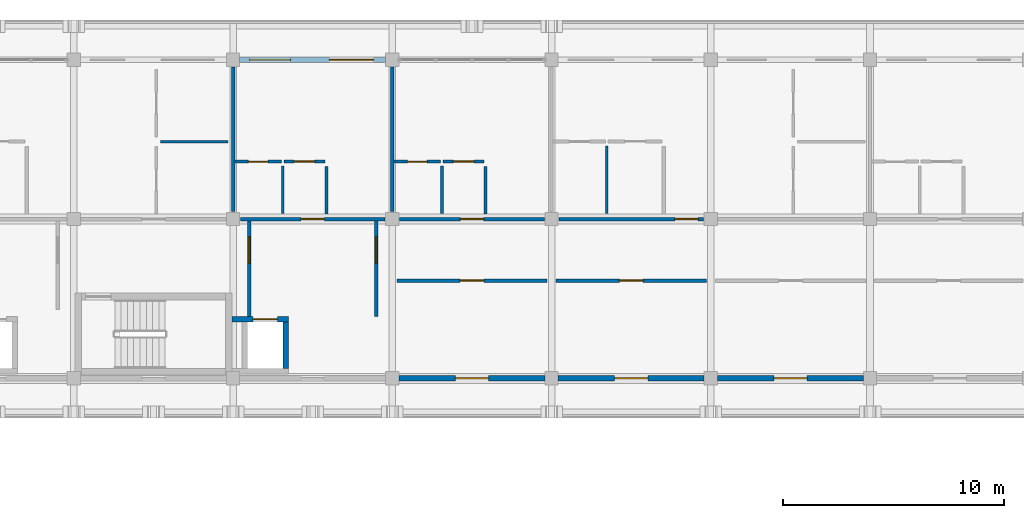
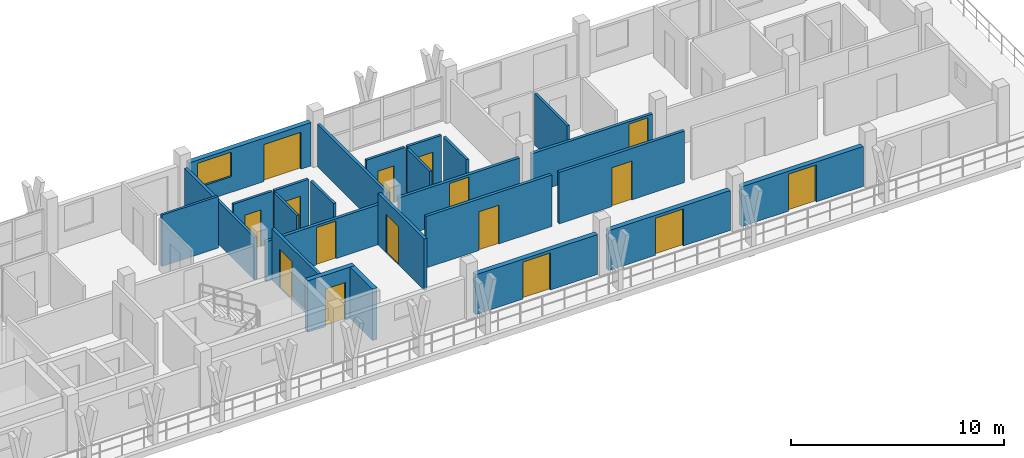
# One storey, part 41 of 65: 25 walls, 16 doors, 1 window, 17 openings.
"""IFC4 building model written with IfcOpenShell, lengths in metres."""

from ifc_helpers import new_model, si_unit, direction, frame, frame_2d, origin, place, context, subcontext, project, spatial, rectangle, extrude, material, layer, layer_set, type_object, element, fill, save


model = new_model("IFC4")

# Units and contexts
model_context = context("Model", 3, precision=1e-05, world=origin(), true_north=direction((0.0, 1.0)))
body_context = subcontext(model_context, "Body", "Model", "MODEL_VIEW")
ifc_project = project(units=[si_unit("LENGTHUNIT", "METRE"), si_unit("AREAUNIT", "SQUARE_METRE"), si_unit("VOLUMEUNIT", "CUBIC_METRE"), si_unit("PLANEANGLEUNIT", "RADIAN"), si_unit("MASSUNIT", "GRAM", prefix="KILO")], contexts=[model_context])

# Site, building, storey
site_placement = place(None, origin())
site = spatial("IfcSite", under=ifc_project, at=site_placement, CompositionType="ELEMENT")
building_placement = place(site_placement, origin())
building = spatial("IfcBuilding", under=site, at=building_placement, Name="Suanplinth Sawtooth Commons", CompositionType="ELEMENT")
storey_placement = place(building_placement, frame((0.0, 0.0, 28.300048828125)))
storey = spatial("IfcBuildingStorey", under=building, at=storey_placement, Name="L08", CompositionType="ELEMENT", Elevation=28.300048828125)

# Wall, openings, door, window
ifc_material_1 = material(Name="Precast concrete C40/50", Category="concrete")
ifc_layer_1 = layer(ifc_material_1, 0.260009765625, Name="Insulated precast courtyard facade wall 260mm")
ifc_layer_set_1 = layer_set([ifc_layer_1], Name="Precast concrete C40/50")
wall_type_1 = type_object("IfcWallType", Name="W-EX02", PredefinedType="ELEMENTEDWALL", material=ifc_layer_set_1)
wall_1_placement = place(storey_placement, frame((65.10009765625, 122.39990234375, 0.0), z_axis=(0.0, 0.0, 1.0), x_axis=(1.0, 0.0, 0.0)))
wall_1 = element("IfcWall", 1, at=wall_1_placement, inside=storey, type_object=wall_type_1, Name="Facade Wall W-L08-A-N-7", PredefinedType="ELEMENTEDWALL", context=body_context, shape_type="SweptSolid", body=[
    extrude(rectangle(XDim=6.599853515625, YDim=0.260009765625, at=frame_2d((3.2998046875, 0.0))), origin(), (0.0, 0.0, 1.0), 2.48486328125),
])
opening_1_placement = place(wall_1_placement, frame((4.050048828125, 0.0, 0.0)))
opening_1 = element("IfcOpeningElement", 2, at=opening_1_placement, cuts=wall_1, Name="Opening ED0632", PredefinedType="OPENING", context=body_context, shape_type="SweptSolid", body=[
    extrude(rectangle(XDim=2.0, YDim=2.1201171875, at=frame_2d((1.0, 1.06005859375))), frame((0.0, 0.14501953125, 0.0), z_axis=(0.0, -1.0, 0.0), x_axis=(1.0, 0.0, 0.0)), (0.0, 0.0, 1.0), 0.289794921875),
])
opening_2_placement = place(wall_1_placement, frame((0.449951171875, 0.0, 0.89990234375)))
opening_2 = element("IfcOpeningElement", 3, at=opening_2_placement, cuts=wall_1, Name="Opening W0714", PredefinedType="OPENING", context=body_context, shape_type="SweptSolid", body=[
    extrude(rectangle(XDim=1.85009765625, YDim=1.39990234375, at=frame_2d((0.925048828125, 0.699951171875))), frame((0.0, 0.14501953125, 0.0), z_axis=(0.0, -1.0, 0.0), x_axis=(1.0, 0.0, 0.0)), (0.0, 0.0, 1.0), 0.289794921875),
])
ifc_material_2 = material(Name="Anodized aluminium and low-E glass", Category="aluminium")
door_type_1 = type_object("IfcDoorType", Name="SD-06", OperationType="DOUBLE_DOOR_SLIDING", PredefinedType="DOOR", material=ifc_material_2)
door_1_placement = place(opening_1_placement, frame((2.0, 0.0, 0.0), z_axis=(0.0, 0.0, 1.0), x_axis=(-1.0, 0.0, 0.0)))
door_1 = element("IfcDoor", 4, at=door_1_placement, inside=storey, type_object=door_type_1, Name="Balcony Sliding Door L08-A-N-7", OperationType="DOUBLE_DOOR_SLIDING", OverallHeight=2.1201171875, OverallWidth=2.0, PredefinedType="DOOR", context=body_context, shape_type="SweptSolid", body=[
    extrude(rectangle(XDim=2.0, YDim=2.1201171875, at=frame_2d((1.0, 1.06005859375))), frame((0.0, 0.02490234375, 0.0), z_axis=(0.0, -1.0, 0.0), x_axis=(1.0, 0.0, 0.0)), (0.0, 0.0, 1.0), 0.050048828125),
])
fill(opening_1, door_1)
ifc_material_3 = material(Name="Thermally broken aluminium and low-E double glazing", Category="aluminium")
window_type = type_object("IfcWindowType", Name="WN-23", PartitioningType="DOUBLE_PANEL_VERTICAL", PredefinedType="WINDOW", material=ifc_material_3)
window_placement = place(opening_2_placement, origin())
window = element("IfcWindow", 5, at=window_placement, inside=storey, type_object=window_type, Name="Window L08-A-N-7", OverallHeight=1.39990234375, OverallWidth=1.85009765625, PartitioningType="DOUBLE_PANEL_VERTICAL", PredefinedType="WINDOW", context=body_context, shape_type="SweptSolid", body=[
    extrude(rectangle(XDim=1.85009765625, YDim=1.39990234375, at=frame_2d((0.925048828125, 0.699951171875))), frame((0.0, 0.030029296875, 0.0), z_axis=(0.0, -1.0, 0.0), x_axis=(1.0, 0.0, 0.0)), (0.0, 0.0, 1.0), 0.06005859375),
])
fill(opening_2, window)

# Wall, opening, door
wall_2_placement = place(storey_placement, frame((72.300048828125, 108.0, 0.0), z_axis=(0.0, 0.0, 1.0), x_axis=(1.0, 0.0, 0.0)))
wall_2 = element("IfcWall", 6, at=wall_2_placement, inside=storey, type_object=wall_type_1, Name="Courtyard Wall W-L08-A-S-8", PredefinedType="ELEMENTEDWALL", context=body_context, shape_type="SweptSolid", body=[
    extrude(rectangle(XDim=6.599853515625, YDim=0.260009765625, at=frame_2d((3.2998046875, 0.0))), origin(), (0.0, 0.0, 1.0), 2.284912109375),
])
opening_3_placement = place(wall_2_placement, frame((2.550048828125, 0.0, 0.0)))
opening_3 = element("IfcOpeningElement", 7, at=opening_3_placement, cuts=wall_2, Name="Opening ED0633", PredefinedType="OPENING", context=body_context, shape_type="SweptSolid", body=[
    extrude(rectangle(XDim=1.5, YDim=2.1201171875, at=frame_2d((0.75, 1.06005859375))), frame((0.0, 0.14501953125, 0.0), z_axis=(0.0, -1.0, 0.0), x_axis=(1.0, 0.0, 0.0)), (0.0, 0.0, 1.0), 0.289794921875),
])
door_type_2 = type_object("IfcDoorType", Name="SD-03", OperationType="SLIDING_TO_LEFT", PredefinedType="DOOR", material=ifc_material_2)
door_2_placement = place(opening_3_placement, frame((1.5, 0.0, 0.0), z_axis=(0.0, 0.0, 1.0), x_axis=(-1.0, 0.0, 0.0)))
door_2 = element("IfcDoor", 8, at=door_2_placement, inside=storey, type_object=door_type_2, Name="Courtyard Balcony Sliding Door L08-A-S-8", OperationType="SLIDING_TO_LEFT", OverallHeight=2.1201171875, OverallWidth=1.5, PredefinedType="DOOR", context=body_context, shape_type="SweptSolid", body=[
    extrude(rectangle(XDim=1.5, YDim=2.1201171875, at=frame_2d((0.75, 1.06005859375))), frame((0.0, 0.02490234375, 0.0), z_axis=(0.0, -1.0, 0.0), x_axis=(1.0, 0.0, 0.0)), (0.0, 0.0, 1.0), 0.050048828125),
])
fill(opening_3, door_2)

wall_3_placement = place(storey_placement, frame((79.5, 108.0, 0.0), z_axis=(0.0, 0.0, 1.0), x_axis=(1.0, 0.0, 0.0)))
wall_3 = element("IfcWall", 9, at=wall_3_placement, inside=storey, type_object=wall_type_1, Name="Courtyard Wall W-L08-A-S-9", PredefinedType="ELEMENTEDWALL", context=body_context, shape_type="SweptSolid", body=[
    extrude(rectangle(XDim=6.60009765625, YDim=0.260009765625, at=frame_2d((3.300048828125, 0.0))), origin(), (0.0, 0.0, 1.0), 2.284912109375),
])
opening_4_placement = place(wall_3_placement, frame((2.550048828125, 0.0, 0.0)))
opening_4 = element("IfcOpeningElement", 10, at=opening_4_placement, cuts=wall_3, Name="Opening ED0635", PredefinedType="OPENING", context=body_context, shape_type="SweptSolid", body=[
    extrude(rectangle(XDim=1.5, YDim=2.1201171875, at=frame_2d((0.75, 1.06005859375))), frame((0.0, 0.14501953125, 0.0), z_axis=(0.0, -1.0, 0.0), x_axis=(1.0, 0.0, 0.0)), (0.0, 0.0, 1.0), 0.289794921875),
])
door_3_placement = place(opening_4_placement, frame((1.5, 0.0, 0.0), z_axis=(0.0, 0.0, 1.0), x_axis=(-1.0, 0.0, 0.0)))
door_3 = element("IfcDoor", 11, at=door_3_placement, inside=storey, type_object=door_type_2, Name="Courtyard Balcony Sliding Door L08-A-S-9", OperationType="SLIDING_TO_LEFT", OverallHeight=2.1201171875, OverallWidth=1.5, PredefinedType="DOOR", context=body_context, shape_type="SweptSolid", body=[
    extrude(rectangle(XDim=1.5, YDim=2.1201171875, at=frame_2d((0.75, 1.06005859375))), frame((0.0, 0.02490234375, 0.0), z_axis=(0.0, -1.0, 0.0), x_axis=(1.0, 0.0, 0.0)), (0.0, 0.0, 1.0), 0.050048828125),
])
fill(opening_4, door_3)

wall_4_placement = place(storey_placement, frame((86.699951171875, 108.0, 0.0), z_axis=(0.0, 0.0, 1.0), x_axis=(1.0, 0.0, 0.0)))
wall_4 = element("IfcWall", 12, at=wall_4_placement, inside=storey, type_object=wall_type_1, Name="Courtyard Wall W-L08-A-S-10", PredefinedType="ELEMENTEDWALL", context=body_context, shape_type="SweptSolid", body=[
    extrude(rectangle(XDim=6.60009765625, YDim=0.260009765625, at=frame_2d((3.300048828125, 0.0))), origin(), (0.0, 0.0, 1.0), 2.284912109375),
])
opening_5_placement = place(wall_4_placement, frame((2.550048828125, 0.0, 0.0)))
opening_5 = element("IfcOpeningElement", 13, at=opening_5_placement, cuts=wall_4, Name="Opening ED0637", PredefinedType="OPENING", context=body_context, shape_type="SweptSolid", body=[
    extrude(rectangle(XDim=1.5, YDim=2.1201171875, at=frame_2d((0.75, 1.06005859375))), frame((0.0, 0.14501953125, 0.0), z_axis=(0.0, -1.0, 0.0), x_axis=(1.0, 0.0, 0.0)), (0.0, 0.0, 1.0), 0.289794921875),
])
door_4_placement = place(opening_5_placement, frame((1.5, 0.0, 0.0), z_axis=(0.0, 0.0, 1.0), x_axis=(-1.0, 0.0, 0.0)))
door_4 = element("IfcDoor", 14, at=door_4_placement, inside=storey, type_object=door_type_2, Name="Courtyard Balcony Sliding Door L08-A-S-10", OperationType="SLIDING_TO_LEFT", OverallHeight=2.1201171875, OverallWidth=1.5, PredefinedType="DOOR", context=body_context, shape_type="SweptSolid", body=[
    extrude(rectangle(XDim=1.5, YDim=2.1201171875, at=frame_2d((0.75, 1.06005859375))), frame((0.0, 0.02490234375, 0.0), z_axis=(0.0, -1.0, 0.0), x_axis=(1.0, 0.0, 0.0)), (0.0, 0.0, 1.0), 0.050048828125),
])
fill(opening_5, door_4)

ifc_layer_2 = layer(ifc_material_1, 0.159912109375, Name="Fire-rated corridor and lobby wall 160mm")
ifc_layer_set_2 = layer_set([ifc_layer_2], Name="Precast concrete C40/50")
wall_type_2 = type_object("IfcWallType", Name="W-FW01", PredefinedType="PARTITIONING", material=ifc_layer_set_2)
wall_5_placement = place(storey_placement, frame((65.52001953125, 110.800048828125, 0.0), z_axis=(0.0, 0.0, 1.0), x_axis=(0.0, 1.0, 0.0)))
wall_5 = element("IfcWall", 15, at=wall_5_placement, inside=storey, type_object=wall_type_2, Name="W-L08-C-A2-LOB-W", PredefinedType="PARTITIONING", context=body_context, shape_type="SweptSolid", body=[
    extrude(rectangle(XDim=4.320068359375, YDim=0.159912109375, at=frame_2d((2.16015625, 0.0))), origin(), (0.0, 0.0, 1.0), 2.949951171875),
])
opening_6_placement = place(wall_5_placement, frame((2.39990234375, 0.0, 0.0)))
opening_6 = element("IfcOpeningElement", 16, at=opening_6_placement, cuts=wall_5, Name="Opening FD0123", PredefinedType="OPENING", context=body_context, shape_type="SweptSolid", body=[
    extrude(rectangle(XDim=1.199951171875, YDim=2.199951171875, at=frame_2d((0.60009765625, 1.10009765625))), frame((0.0, 0.0947265625, 0.0), z_axis=(0.0, -1.0, 0.0), x_axis=(1.0, 0.0, 0.0)), (0.0, 0.0, 1.0), 0.189697265625),
])
ifc_material_4 = material(Name="Teak hardwood fire-rated door assembly", Category="wood")
door_type_3 = type_object("IfcDoorType", Name="FD-02", OperationType="NOTDEFINED", PredefinedType="DOOR", material=ifc_material_4)
door_5_placement = place(opening_6_placement, origin())
door_5 = element("IfcDoor", 17, at=door_5_placement, inside=storey, type_object=door_type_3, Name="Lobby Fire Door FD0123", OperationType="SINGLE_SWING_LEFT", OverallHeight=2.199951171875, OverallWidth=1.199951171875, PredefinedType="DOOR", context=body_context, shape_type="SweptSolid", body=[
    extrude(rectangle(XDim=1.199951171875, YDim=2.199951171875, at=frame_2d((0.60009765625, 1.10009765625))), frame((0.0, 0.02490234375, 0.0), z_axis=(0.0, -1.0, 0.0), x_axis=(1.0, 0.0, 0.0)), (0.0, 0.0, 1.0), 0.050048828125),
])
fill(opening_6, door_5)

wall_6_placement = place(storey_placement, frame((71.280029296875, 110.800048828125, 0.0), z_axis=(0.0, 0.0, 1.0), x_axis=(0.0, 1.0, 0.0)))
wall_6 = element("IfcWall", 18, at=wall_6_placement, inside=storey, type_object=wall_type_2, Name="W-L08-C-A2-LOB-E", PredefinedType="PARTITIONING", context=body_context, shape_type="SweptSolid", body=[
    extrude(rectangle(XDim=4.320068359375, YDim=0.159912109375, at=frame_2d((2.16015625, 0.0))), origin(), (0.0, 0.0, 1.0), 2.949951171875),
])
opening_7_placement = place(wall_6_placement, frame((2.39990234375, 0.0, 0.0)))
opening_7 = element("IfcOpeningElement", 19, at=opening_7_placement, cuts=wall_6, Name="Opening FD0124", PredefinedType="OPENING", context=body_context, shape_type="SweptSolid", body=[
    extrude(rectangle(XDim=1.199951171875, YDim=2.199951171875, at=frame_2d((0.60009765625, 1.10009765625))), frame((0.0, 0.0947265625, 0.0), z_axis=(0.0, -1.0, 0.0), x_axis=(1.0, 0.0, 0.0)), (0.0, 0.0, 1.0), 0.189697265625),
])
door_6_placement = place(opening_7_placement, frame((1.199951171875, 0.0, 0.0), z_axis=(0.0, 0.0, 1.0), x_axis=(-1.0, 0.0, 0.0)))
door_6 = element("IfcDoor", 20, at=door_6_placement, inside=storey, type_object=door_type_3, Name="Lobby Fire Door FD0124", OperationType="SINGLE_SWING_RIGHT", OverallHeight=2.199951171875, OverallWidth=1.199951171875, PredefinedType="DOOR", context=body_context, shape_type="SweptSolid", body=[
    extrude(rectangle(XDim=1.199951171875, YDim=2.199951171875, at=frame_2d((0.60009765625, 1.10009765625))), frame((0.0, 0.02490234375, 0.0), z_axis=(0.0, -1.0, 0.0), x_axis=(1.0, 0.0, 0.0)), (0.0, 0.0, 1.0), 0.050048828125),
])
fill(opening_7, door_6)

wall_7_placement = place(storey_placement, frame((65.1298828125, 115.199951171875, 0.0), z_axis=(0.0, 0.0, 1.0), x_axis=(1.0, 0.0, 0.0)))
wall_7 = element("IfcWall", 21, at=wall_7_placement, inside=storey, type_object=wall_type_2, Name="W-A-L08-U06-COR", PredefinedType="PARTITIONING", context=body_context, shape_type="SweptSolid", body=[
    extrude(rectangle(XDim=6.5400390625, YDim=0.159912109375, at=frame_2d((3.27001953125, 0.0))), origin(), (0.0, 0.0, 1.0), 2.284912109375),
])
opening_8_placement = place(wall_7_placement, frame((2.7451171875, 0.0, 0.0)))
opening_8 = element("IfcOpeningElement", 22, at=opening_8_placement, cuts=wall_7, Name="Opening FD1647", PredefinedType="OPENING", context=body_context, shape_type="SweptSolid", body=[
    extrude(rectangle(XDim=1.050048828125, YDim=2.14990234375, at=frame_2d((0.52490234375, 1.074951171875))), frame((0.0, 0.0947265625, 0.0), z_axis=(0.0, -1.0, 0.0), x_axis=(1.0, 0.0, 0.0)), (0.0, 0.0, 1.0), 0.189697265625),
])
door_type_4 = type_object("IfcDoorType", Name="FD-04", OperationType="NOTDEFINED", PredefinedType="DOOR", material=ifc_material_4)
door_7_placement = place(opening_8_placement, origin())
door_7 = element("IfcDoor", 23, at=door_7_placement, inside=storey, type_object=door_type_4, Name="Unit Entrance Door FD1647", OperationType="SINGLE_SWING_LEFT", OverallHeight=2.14990234375, OverallWidth=1.050048828125, PredefinedType="DOOR", context=body_context, shape_type="SweptSolid", body=[
    extrude(rectangle(XDim=1.050048828125, YDim=2.14990234375, at=frame_2d((0.52490234375, 1.074951171875))), frame((0.0, 0.02490234375, 0.0), z_axis=(0.0, -1.0, 0.0), x_axis=(1.0, 0.0, 0.0)), (0.0, 0.0, 1.0), 0.050048828125),
])
fill(opening_8, door_7)

wall_8_placement = place(storey_placement, frame((72.330078125, 115.199951171875, 0.0), z_axis=(0.0, 0.0, 1.0), x_axis=(1.0, 0.0, 0.0)))
wall_8 = element("IfcWall", 24, at=wall_8_placement, inside=storey, type_object=wall_type_2, Name="W-A-L08-U07-COR", PredefinedType="PARTITIONING", context=body_context, shape_type="SweptSolid", body=[
    extrude(rectangle(XDim=6.5400390625, YDim=0.159912109375, at=frame_2d((3.27001953125, 0.0))), origin(), (0.0, 0.0, 1.0), 2.284912109375),
])
opening_9_placement = place(wall_8_placement, frame((2.7451171875, 0.0, 0.0)))
opening_9 = element("IfcOpeningElement", 25, at=opening_9_placement, cuts=wall_8, Name="Opening FD1650", PredefinedType="OPENING", context=body_context, shape_type="SweptSolid", body=[
    extrude(rectangle(XDim=1.050048828125, YDim=2.14990234375, at=frame_2d((0.52490234375, 1.074951171875))), frame((0.0, 0.0947265625, 0.0), z_axis=(0.0, -1.0, 0.0), x_axis=(1.0, 0.0, 0.0)), (0.0, 0.0, 1.0), 0.189697265625),
])
door_8_placement = place(opening_9_placement, origin())
door_8 = element("IfcDoor", 26, at=door_8_placement, inside=storey, type_object=door_type_4, Name="Unit Entrance Door FD1650", OperationType="SINGLE_SWING_RIGHT", OverallHeight=2.14990234375, OverallWidth=1.050048828125, PredefinedType="DOOR", context=body_context, shape_type="SweptSolid", body=[
    extrude(rectangle(XDim=1.050048828125, YDim=2.14990234375, at=frame_2d((0.52490234375, 1.074951171875))), frame((0.0, 0.02490234375, 0.0), z_axis=(0.0, -1.0, 0.0), x_axis=(1.0, 0.0, 0.0)), (0.0, 0.0, 1.0), 0.050048828125),
])
fill(opening_9, door_8)

wall_9_placement = place(storey_placement, frame((79.530029296875, 115.199951171875, 0.0), z_axis=(0.0, 0.0, 1.0), x_axis=(1.0, 0.0, 0.0)))
wall_9 = element("IfcWall", 27, at=wall_9_placement, inside=storey, type_object=wall_type_2, Name="W-A-L08-U08-COR-S1", PredefinedType="PARTITIONING", context=body_context, shape_type="SweptSolid", body=[
    extrude(rectangle(XDim=6.5400390625, YDim=0.159912109375, at=frame_2d((3.27001953125, 0.0))), origin(), (0.0, 0.0, 1.0), 2.284912109375),
])
opening_10_placement = place(wall_9_placement, frame((5.2451171875, 0.0, 0.0)))
opening_10 = element("IfcOpeningElement", 28, at=opening_10_placement, cuts=wall_9, Name="Opening FD1653", PredefinedType="OPENING", context=body_context, shape_type="SweptSolid", body=[
    extrude(rectangle(XDim=1.050048828125, YDim=2.14990234375, at=frame_2d((0.52490234375, 1.074951171875))), frame((0.0, 0.0947265625, 0.0), z_axis=(0.0, -1.0, 0.0), x_axis=(1.0, 0.0, 0.0)), (0.0, 0.0, 1.0), 0.189697265625),
])
door_9_placement = place(opening_10_placement, origin())
door_9 = element("IfcDoor", 29, at=door_9_placement, inside=storey, type_object=door_type_4, Name="Unit Entrance Door FD1653", OperationType="SINGLE_SWING_LEFT", OverallHeight=2.14990234375, OverallWidth=1.050048828125, PredefinedType="DOOR", context=body_context, shape_type="SweptSolid", body=[
    extrude(rectangle(XDim=1.050048828125, YDim=2.14990234375, at=frame_2d((0.52490234375, 1.074951171875))), frame((0.0, 0.02490234375, 0.0), z_axis=(0.0, -1.0, 0.0), x_axis=(1.0, 0.0, 0.0)), (0.0, 0.0, 1.0), 0.050048828125),
])
fill(opening_10, door_9)

wall_10_placement = place(storey_placement, frame((72.199951171875, 112.419921875, 0.0), z_axis=(0.0, 0.0, 1.0), x_axis=(1.0, 0.0, 0.0)))
wall_10 = element("IfcWall", 30, at=wall_10_placement, inside=storey, type_object=wall_type_2, Name="W-A-L08-COURTROOM-13-COR", PredefinedType="PARTITIONING", context=body_context, shape_type="SweptSolid", body=[
    extrude(rectangle(XDim=6.800048828125, YDim=0.159912109375, at=frame_2d((3.39990234375, 0.0))), origin(), (0.0, 0.0, 1.0), 2.949951171875),
])
opening_11_placement = place(wall_10_placement, frame((2.860107421875, 0.0, 0.0)))
opening_11 = element("IfcOpeningElement", 31, at=opening_11_placement, cuts=wall_10, Name="Opening D1665", PredefinedType="OPENING", context=body_context, shape_type="SweptSolid", body=[
    extrude(rectangle(XDim=1.080078125, YDim=2.219970703125, at=frame_2d((0.5400390625, 1.10986328125))), frame((0.0, 0.0947265625, 0.0), z_axis=(0.0, -1.0, 0.0), x_axis=(1.0, 0.0, 0.0)), (0.0, 0.0, 1.0), 0.189697265625),
])
ifc_material_5 = material(Name="Teak hardwood", Category="wood")
door_type_5 = type_object("IfcDoorType", Name="D-17", OperationType="NOTDEFINED", PredefinedType="DOOR", material=ifc_material_5)
door_10_placement = place(opening_11_placement, frame((1.080078125, 0.0, 0.0), z_axis=(0.0, 0.0, 1.0), x_axis=(-1.0, 0.0, 0.0)))
door_10 = element("IfcDoor", 32, at=door_10_placement, inside=storey, type_object=door_type_5, Name="Study Studio Door D1665", OperationType="SINGLE_SWING_LEFT", OverallHeight=2.219970703125, OverallWidth=1.080078125, PredefinedType="DOOR", context=body_context, shape_type="SweptSolid", body=[
    extrude(rectangle(XDim=1.080078125, YDim=2.219970703125, at=frame_2d((0.5400390625, 1.10986328125))), frame((0.0, 0.02490234375, 0.0), z_axis=(0.0, -1.0, 0.0), x_axis=(1.0, 0.0, 0.0)), (0.0, 0.0, 1.0), 0.050048828125),
])
fill(opening_11, door_10)

wall_11_placement = place(storey_placement, frame((79.39990234375, 112.419921875, 0.0), z_axis=(0.0, 0.0, 1.0), x_axis=(1.0, 0.0, 0.0)))
wall_11 = element("IfcWall", 33, at=wall_11_placement, inside=storey, type_object=wall_type_2, Name="W-A-L08-COURTROOM-14-COR", PredefinedType="PARTITIONING", context=body_context, shape_type="SweptSolid", body=[
    extrude(rectangle(XDim=6.800048828125, YDim=0.159912109375, at=frame_2d((3.39990234375, 0.0))), origin(), (0.0, 0.0, 1.0), 2.949951171875),
])
opening_12_placement = place(wall_11_placement, frame((2.860107421875, 0.0, 0.0)))
opening_12 = element("IfcOpeningElement", 34, at=opening_12_placement, cuts=wall_11, Name="Opening D1666", PredefinedType="OPENING", context=body_context, shape_type="SweptSolid", body=[
    extrude(rectangle(XDim=1.080078125, YDim=2.219970703125, at=frame_2d((0.5400390625, 1.10986328125))), frame((0.0, 0.0947265625, 0.0), z_axis=(0.0, -1.0, 0.0), x_axis=(1.0, 0.0, 0.0)), (0.0, 0.0, 1.0), 0.189697265625),
])
door_11_placement = place(opening_12_placement, frame((1.080078125, 0.0, 0.0), z_axis=(0.0, 0.0, 1.0), x_axis=(-1.0, 0.0, 0.0)))
door_11 = element("IfcDoor", 35, at=door_11_placement, inside=storey, type_object=door_type_5, Name="Study Studio Door D1666", OperationType="SINGLE_SWING_RIGHT", OverallHeight=2.219970703125, OverallWidth=1.080078125, PredefinedType="DOOR", context=body_context, shape_type="SweptSolid", body=[
    extrude(rectangle(XDim=1.080078125, YDim=2.219970703125, at=frame_2d((0.5400390625, 1.10986328125))), frame((0.0, 0.02490234375, 0.0), z_axis=(0.0, -1.0, 0.0), x_axis=(1.0, 0.0, 0.0)), (0.0, 0.0, 1.0), 0.050048828125),
])
fill(opening_12, door_11)

# Walls
ifc_layer_3 = layer(ifc_material_1, 0.14990234375, Name="Acoustic precast party demising wall 150mm")
ifc_layer_set_3 = layer_set([ifc_layer_3], Name="Precast concrete C40/50")
wall_type_3 = type_object("IfcWallType", Name="W-FW02", PredefinedType="PARTITIONING", material=ifc_layer_set_3)
for number, where, z_axis, x_axis, name in (
    (36, (64.800048828125, 115.530029296875, 0.0), (0.0, 0.0, 1.0), (0.0, 1.0, 0.0), "W-A-L08-U05-PTY"),
    (37, (72.0, 115.530029296875, 0.0), (0.0, 0.0, 1.0), (0.0, 1.0, 0.0), "W-A-L08-U06-PTY"),
):
    element("IfcWall", number, at=place(storey_placement, frame(where, z_axis=z_axis, x_axis=x_axis)), inside=storey, type_object=wall_type_3, Name=name, PredefinedType="PARTITIONING", context=body_context, shape_type="SweptSolid", body=[
        extrude(rectangle(XDim=6.5400390625, YDim=0.14990234375, at=frame_2d((3.27001953125, 0.0))), origin(), (0.0, 0.0, 1.0), 2.43505859375),
    ])

# Wall, opening, door
ifc_material_6 = material(Name="Gypsum plasterboard on steel stud", Category="steel")
ifc_layer_4 = layer(ifc_material_6, 0.139892578125, Name="Fire-rated kitchen partition 140mm")
ifc_layer_set_4 = layer_set([ifc_layer_4], Name="Gypsum plasterboard on steel stud")
wall_type_4 = type_object("IfcWallType", Name="W-PT01", PredefinedType="PARTITIONING", material=ifc_layer_set_4)
wall_12_placement = place(storey_placement, frame((67.10009765625, 117.800048828125, 0.0), z_axis=(0.0, 0.0, 1.0), x_axis=(1.0, 0.0, 0.0)))
wall_12 = element("IfcWall", 38, at=wall_12_placement, inside=storey, type_object=wall_type_4, Name="W-A-L08-U06-KIT1", PredefinedType="PARTITIONING", context=body_context, shape_type="SweptSolid", body=[
    extrude(rectangle(XDim=1.849853515625, YDim=0.139892578125, at=frame_2d((0.9248046875, 0.0))), origin(), (0.0, 0.0, 1.0), 2.949951171875),
])
opening_13_placement = place(wall_12_placement, frame((0.4599609375, 0.0, 0.0)))
opening_13 = element("IfcOpeningElement", 39, at=opening_13_placement, cuts=wall_12, Name="Opening D1649", PredefinedType="OPENING", context=body_context, shape_type="SweptSolid", body=[
    extrude(rectangle(XDim=0.929931640625, YDim=2.139892578125, at=frame_2d((0.46484375, 1.06982421875))), frame((0.0, 0.0849609375, 0.0), z_axis=(0.0, -1.0, 0.0), x_axis=(1.0, 0.0, 0.0)), (0.0, 0.0, 1.0), 0.169677734375),
])
door_type_6 = type_object("IfcDoorType", Name="D-19", OperationType="NOTDEFINED", PredefinedType="DOOR", material=ifc_material_5)
door_12_placement = place(opening_13_placement, frame((0.929931640625, 0.0, 0.0), z_axis=(0.0, 0.0, 1.0), x_axis=(-1.0, 0.0, 0.0)))
door_12 = element("IfcDoor", 40, at=door_12_placement, inside=storey, type_object=door_type_6, Name="Kitchen Door D1649", OperationType="SINGLE_SWING_LEFT", OverallHeight=2.139892578125, OverallWidth=0.929931640625, PredefinedType="DOOR", context=body_context, shape_type="SweptSolid", body=[
    extrude(rectangle(XDim=0.929931640625, YDim=2.139892578125, at=frame_2d((0.46484375, 1.06982421875))), frame((0.0, 0.02490234375, 0.0), z_axis=(0.0, -1.0, 0.0), x_axis=(1.0, 0.0, 0.0)), (0.0, 0.0, 1.0), 0.050048828125),
])
fill(opening_13, door_12)

# Wall
wall_13_placement = place(storey_placement, frame((69.02001953125, 115.429931640625, 0.0), z_axis=(0.0, 0.0, 1.0), x_axis=(0.0, 1.0, 0.0)))
element("IfcWall", 41, at=wall_13_placement, inside=storey, type_object=wall_type_4, Name="W-A-L08-U06-KIT2", PredefinedType="PARTITIONING", context=body_context, shape_type="SweptSolid", body=[
    extrude(rectangle(XDim=2.150146484375, YDim=0.139892578125, at=frame_2d((1.0751953125, 0.0))), origin(), (0.0, 0.0, 1.0), 2.949951171875),
])

# Wall, opening, door
wall_14_placement = place(storey_placement, frame((74.300048828125, 117.800048828125, 0.0), z_axis=(0.0, 0.0, 1.0), x_axis=(1.0, 0.0, 0.0)))
wall_14 = element("IfcWall", 42, at=wall_14_placement, inside=storey, type_object=wall_type_4, Name="W-A-L08-U07-KIT1", PredefinedType="PARTITIONING", context=body_context, shape_type="SweptSolid", body=[
    extrude(rectangle(XDim=1.849853515625, YDim=0.139892578125, at=frame_2d((0.9248046875, 0.0))), origin(), (0.0, 0.0, 1.0), 2.949951171875),
])
opening_14_placement = place(wall_14_placement, frame((0.4599609375, 0.0, 0.0)))
opening_14 = element("IfcOpeningElement", 43, at=opening_14_placement, cuts=wall_14, Name="Opening D1652", PredefinedType="OPENING", context=body_context, shape_type="SweptSolid", body=[
    extrude(rectangle(XDim=0.929931640625, YDim=2.139892578125, at=frame_2d((0.46484375, 1.06982421875))), frame((0.0, 0.0849609375, 0.0), z_axis=(0.0, -1.0, 0.0), x_axis=(1.0, 0.0, 0.0)), (0.0, 0.0, 1.0), 0.169677734375),
])
door_13_placement = place(opening_14_placement, frame((0.929931640625, 0.0, 0.0), z_axis=(0.0, 0.0, 1.0), x_axis=(-1.0, 0.0, 0.0)))
door_13 = element("IfcDoor", 44, at=door_13_placement, inside=storey, type_object=door_type_6, Name="Kitchen Door D1652", OperationType="SINGLE_SWING_RIGHT", OverallHeight=2.139892578125, OverallWidth=0.929931640625, PredefinedType="DOOR", context=body_context, shape_type="SweptSolid", body=[
    extrude(rectangle(XDim=0.929931640625, YDim=2.139892578125, at=frame_2d((0.46484375, 1.06982421875))), frame((0.0, 0.02490234375, 0.0), z_axis=(0.0, -1.0, 0.0), x_axis=(1.0, 0.0, 0.0)), (0.0, 0.0, 1.0), 0.050048828125),
])
fill(opening_14, door_13)

# Wall
wall_15_placement = place(storey_placement, frame((76.219970703125, 115.429931640625, 0.0), z_axis=(0.0, 0.0, 1.0), x_axis=(0.0, 1.0, 0.0)))
element("IfcWall", 45, at=wall_15_placement, inside=storey, type_object=wall_type_4, Name="W-A-L08-U07-KIT2", PredefinedType="PARTITIONING", context=body_context, shape_type="SweptSolid", body=[
    extrude(rectangle(XDim=2.150146484375, YDim=0.139892578125, at=frame_2d((1.0751953125, 0.0))), origin(), (0.0, 0.0, 1.0), 2.949951171875),
])

# Wall, opening, door
ifc_layer_5 = layer(ifc_material_6, 0.1298828125, Name="Moisture-resistant bathroom partition 130mm")
ifc_layer_set_5 = layer_set([ifc_layer_5], Name="Gypsum plasterboard on steel stud")
wall_type_5 = type_object("IfcWallType", Name="W-PT02", PredefinedType="PARTITIONING", material=ifc_layer_set_5)
wall_16_placement = place(storey_placement, frame((64.8798828125, 117.794921875, 0.0), z_axis=(0.0, 0.0, 1.0), x_axis=(1.0, 0.0, 0.0)))
wall_16 = element("IfcWall", 46, at=wall_16_placement, inside=storey, type_object=wall_type_5, Name="W-A-L08-U06-BTH1", PredefinedType="PARTITIONING", context=body_context, shape_type="SweptSolid", body=[
    extrude(rectangle(XDim=2.10009765625, YDim=0.1298828125, at=frame_2d((1.050048828125, 0.0))), origin(), (0.0, 0.0, 1.0), 2.949951171875),
])
opening_15_placement = place(wall_16_placement, frame((0.610107421875, 0.0, 0.0)))
opening_15 = element("IfcOpeningElement", 47, at=opening_15_placement, cuts=wall_16, Name="Opening D1648", PredefinedType="OPENING", context=body_context, shape_type="SweptSolid", body=[
    extrude(rectangle(XDim=0.8798828125, YDim=2.10009765625, at=frame_2d((0.43994140625, 1.050048828125))), frame((0.0, 0.079833984375, 0.0), z_axis=(0.0, -1.0, 0.0), x_axis=(1.0, 0.0, 0.0)), (0.0, 0.0, 1.0), 0.15966796875),
])
door_type_7 = type_object("IfcDoorType", Name="D-14", OperationType="NOTDEFINED", PredefinedType="DOOR", material=ifc_material_5)
door_14_placement = place(opening_15_placement, frame((0.8798828125, 0.0, 0.0), z_axis=(0.0, 0.0, 1.0), x_axis=(-1.0, 0.0, 0.0)))
door_14 = element("IfcDoor", 48, at=door_14_placement, inside=storey, type_object=door_type_7, Name="Bathroom Door D1648", OperationType="SINGLE_SWING_RIGHT", OverallHeight=2.10009765625, OverallWidth=0.8798828125, PredefinedType="DOOR", context=body_context, shape_type="SweptSolid", body=[
    extrude(rectangle(XDim=0.8798828125, YDim=2.10009765625, at=frame_2d((0.43994140625, 1.050048828125))), frame((0.0, 0.02490234375, 0.0), z_axis=(0.0, -1.0, 0.0), x_axis=(1.0, 0.0, 0.0)), (0.0, 0.0, 1.0), 0.050048828125),
])
fill(opening_15, door_14)

# Wall
wall_17_placement = place(storey_placement, frame((67.044921875, 115.4599609375, 0.0), z_axis=(0.0, 0.0, 1.0), x_axis=(0.0, 1.0, 0.0)))
element("IfcWall", 49, at=wall_17_placement, inside=storey, type_object=wall_type_5, Name="W-A-L08-U06-BTH2", PredefinedType="PARTITIONING", context=body_context, shape_type="SweptSolid", body=[
    extrude(rectangle(XDim=2.130126953125, YDim=0.1298828125, at=frame_2d((1.06494140625, 0.0))), origin(), (0.0, 0.0, 1.0), 2.949951171875),
])

# Wall, opening, door
wall_18_placement = place(storey_placement, frame((72.080078125, 117.794921875, 0.0), z_axis=(0.0, 0.0, 1.0), x_axis=(1.0, 0.0, 0.0)))
wall_18 = element("IfcWall", 50, at=wall_18_placement, inside=storey, type_object=wall_type_5, Name="W-A-L08-U07-BTH1", PredefinedType="PARTITIONING", context=body_context, shape_type="SweptSolid", body=[
    extrude(rectangle(XDim=2.099853515625, YDim=0.1298828125, at=frame_2d((1.0498046875, 0.0))), origin(), (0.0, 0.0, 1.0), 2.949951171875),
])
opening_16_placement = place(wall_18_placement, frame((0.610107421875, 0.0, 0.0)))
opening_16 = element("IfcOpeningElement", 51, at=opening_16_placement, cuts=wall_18, Name="Opening D1651", PredefinedType="OPENING", context=body_context, shape_type="SweptSolid", body=[
    extrude(rectangle(XDim=0.8798828125, YDim=2.10009765625, at=frame_2d((0.43994140625, 1.050048828125))), frame((0.0, 0.079833984375, 0.0), z_axis=(0.0, -1.0, 0.0), x_axis=(1.0, 0.0, 0.0)), (0.0, 0.0, 1.0), 0.15966796875),
])
door_15_placement = place(opening_16_placement, frame((0.8798828125, 0.0, 0.0), z_axis=(0.0, 0.0, 1.0), x_axis=(-1.0, 0.0, 0.0)))
door_15 = element("IfcDoor", 52, at=door_15_placement, inside=storey, type_object=door_type_7, Name="Bathroom Door D1651", OperationType="SINGLE_SWING_LEFT", OverallHeight=2.10009765625, OverallWidth=0.8798828125, PredefinedType="DOOR", context=body_context, shape_type="SweptSolid", body=[
    extrude(rectangle(XDim=0.8798828125, YDim=2.10009765625, at=frame_2d((0.43994140625, 1.050048828125))), frame((0.0, 0.02490234375, 0.0), z_axis=(0.0, -1.0, 0.0), x_axis=(1.0, 0.0, 0.0)), (0.0, 0.0, 1.0), 0.050048828125),
])
fill(opening_16, door_15)

# Walls
wall_19_placement = place(storey_placement, frame((74.2451171875, 115.4599609375, 0.0), z_axis=(0.0, 0.0, 1.0), x_axis=(0.0, 1.0, 0.0)))
element("IfcWall", 53, at=wall_19_placement, inside=storey, type_object=wall_type_5, Name="W-A-L08-U07-BTH2", PredefinedType="PARTITIONING", context=body_context, shape_type="SweptSolid", body=[
    extrude(rectangle(XDim=2.130126953125, YDim=0.1298828125, at=frame_2d((1.06494140625, 0.0))), origin(), (0.0, 0.0, 1.0), 2.949951171875),
])
wall_20_placement = place(storey_placement, frame((81.695068359375, 115.4599609375, 0.0), z_axis=(0.0, 0.0, 1.0), x_axis=(0.0, 1.0, 0.0)))
element("IfcWall", 54, at=wall_20_placement, inside=storey, type_object=wall_type_5, Name="W-A-L08-U08-BTH2", PredefinedType="PARTITIONING", context=body_context, shape_type="SweptSolid", body=[
    extrude(rectangle(XDim=3.0400390625, YDim=0.1298828125, at=frame_2d((1.52001953125, 0.0))), origin(), (0.0, 0.0, 1.0), 2.949951171875),
])
ifc_layer_6 = layer(ifc_material_6, 0.125, Name="Acoustic study partition 125mm")
ifc_layer_set_6 = layer_set([ifc_layer_6], Name="Gypsum plasterboard on steel stud")
wall_type_6 = type_object("IfcWallType", Name="W-PT06", PredefinedType="PARTITIONING", material=ifc_layer_set_6)
wall_21_placement = place(storey_placement, frame((61.52001953125, 118.699951171875, 0.0), z_axis=(0.0, 0.0, 1.0), x_axis=(1.0, 0.0, 0.0)))
element("IfcWall", 55, at=wall_21_placement, inside=storey, type_object=wall_type_6, Name="W-A-L08-U05-BEDDIV", PredefinedType="PARTITIONING", context=body_context, shape_type="SweptSolid", body=[
    extrude(rectangle(XDim=3.06005859375, YDim=0.125, at=frame_2d((1.530029296875, 0.0))), origin(), (0.0, 0.0, 1.0), 2.949951171875),
])

# Wall, opening, door
ifc_layer_7 = layer(ifc_material_1, 0.25, Name="Precast structural shear wall 250mm")
ifc_layer_set_7 = layer_set([ifc_layer_7], Name="Precast concrete C40/50")
wall_type_7 = type_object("IfcWallType", Name="W-SH01", PredefinedType="SHEAR", material=ifc_layer_set_7)
wall_22_placement = place(storey_placement, frame((64.75, 110.675048828125, 0.0), z_axis=(0.0, 0.0, 1.0), x_axis=(1.0, 0.0, 0.0)))
wall_22 = element("IfcWall", 56, at=wall_22_placement, inside=storey, type_object=wall_type_7, Name="W-L08-LF2-N", PredefinedType="SHEAR", context=body_context, shape_type="SweptSolid", body=[
    extrude(rectangle(XDim=2.550048828125, YDim=0.25, at=frame_2d((1.27490234375, 0.0))), origin(), (0.0, 0.0, 1.0), 2.949951171875),
])
opening_17_placement = place(wall_22_placement, frame((0.949951171875, 0.0, 0.0)))
opening_17 = element("IfcOpeningElement", 57, at=opening_17_placement, cuts=wall_22, Name="Opening LD0125", PredefinedType="OPENING", context=body_context, shape_type="SweptSolid", body=[
    extrude(rectangle(XDim=1.10009765625, YDim=2.14990234375, at=frame_2d((0.550048828125, 1.074951171875))), frame((0.0, 0.139892578125, 0.0), z_axis=(0.0, -1.0, 0.0), x_axis=(1.0, 0.0, 0.0)), (0.0, 0.0, 1.0), 0.27978515625),
])
ifc_material_7 = material(Name="Stainless steel Grade 304", Category="steel")
door_type_8 = type_object("IfcDoorType", Name="LD-01", OperationType="SLIDING_TO_LEFT", PredefinedType="DOOR", material=ifc_material_7)
door_16_placement = place(opening_17_placement, origin())
door_16 = element("IfcDoor", 58, at=door_16_placement, inside=storey, type_object=door_type_8, Name="Lift Landing Sliding Door LF2 L08", OperationType="SLIDING_TO_LEFT", OverallHeight=2.14990234375, OverallWidth=1.10009765625, PredefinedType="DOOR", context=body_context, shape_type="SweptSolid", body=[
    extrude(rectangle(XDim=1.10009765625, YDim=2.14990234375, at=frame_2d((0.550048828125, 1.074951171875))), frame((0.0, 0.02490234375, 0.0), z_axis=(0.0, -1.0, 0.0), x_axis=(1.0, 0.0, 0.0)), (0.0, 0.0, 1.0), 0.050048828125),
])
fill(opening_17, door_16)

# Wall
wall_23_placement = place(storey_placement, frame((67.175048828125, 108.449951171875, 0.0), z_axis=(0.0, 0.0, 1.0), x_axis=(0.0, 1.0, 0.0)))
element("IfcWall", 59, at=wall_23_placement, inside=storey, type_object=wall_type_7, Name="W-L08-LF2-E", PredefinedType="SHEAR", context=body_context, shape_type="SweptSolid", body=[
    extrude(rectangle(XDim=2.10009765625, YDim=0.25, at=frame_2d((1.050048828125, 0.0))), origin(), (0.0, 0.0, 1.0), 2.949951171875),
])

save(model, "model.ifc")
